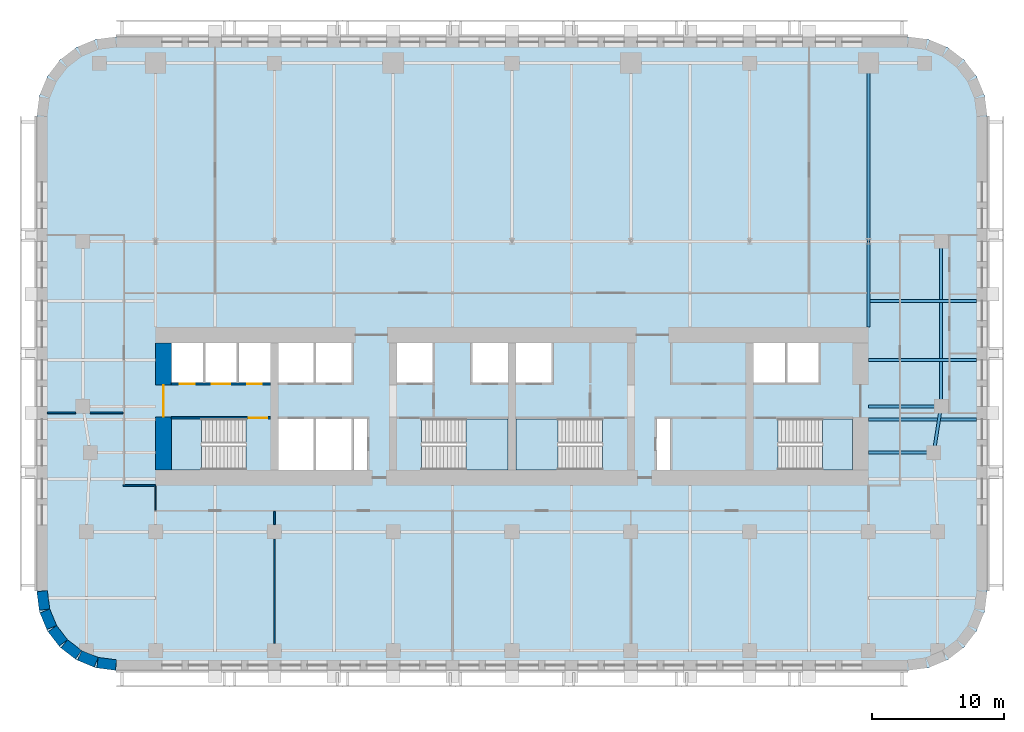
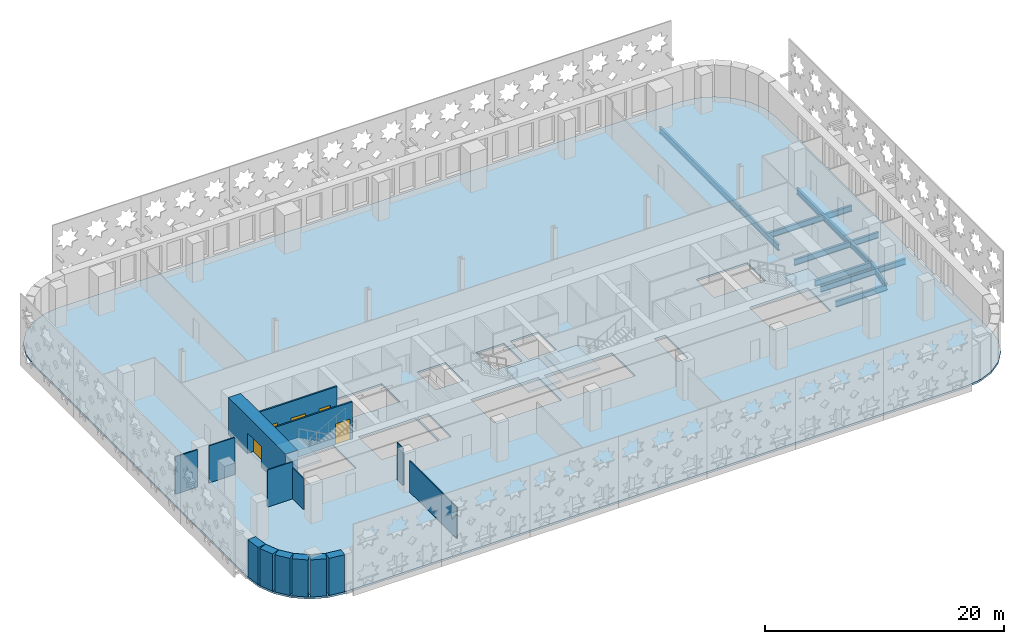
# One storey, part 2 of 13: 15 walls, 9 beams, 5 doors, 5 slabs, 5 openings, 4 elements without a shape of their own.
"""IFC4 building model written with IfcOpenShell, lengths in metres."""

from ifc_helpers import new_model, si_unit, direction, frame, frame_2d, origin, origin_2d, place, context, subcontext, project, spatial, polyline, rectangle, i_section, outline, extrude, material, layer, layer_set, material_profile, profile_set, type_object, element, fill, aggregate, save


model = new_model("IFC4")

# Units and contexts
model_context = context("Model", 3, precision=1e-05, world=origin(), true_north=direction((0.0, 1.0)))
body_context = subcontext(model_context, "Body", "Model", "MODEL_VIEW")
ifc_project = project(units=[si_unit("LENGTHUNIT", "METRE"), si_unit("AREAUNIT", "SQUARE_METRE"), si_unit("VOLUMEUNIT", "CUBIC_METRE"), si_unit("PLANEANGLEUNIT", "RADIAN"), si_unit("MASSUNIT", "GRAM", prefix="KILO")], contexts=[model_context])

# Site, building, storey
site_placement = place(None, origin())
site = spatial("IfcSite", under=ifc_project, at=site_placement, CompositionType="ELEMENT")
building_placement = place(site_placement, origin())
building = spatial("IfcBuilding", under=site, at=building_placement, Name="Zellij Exchange Tower", CompositionType="ELEMENT")
storey_placement = place(building_placement, frame((0.0, 0.0, 60.5)))
storey = spatial("IfcBuildingStorey", under=building, at=storey_placement, Name="L11", CompositionType="ELEMENT", Elevation=60.5)

# Beams
ifc_material_1 = material(Name="Structural steel ASTM A992 Gr 50", Category="steel")
ifc_material_profile_1 = material_profile(ifc_material_1, i_section(OverallWidth=0.227783203125, OverallDepth=0.60205078125, WebThickness=0.010498046875, FlangeThickness=0.014892578125, at=origin_2d()), Name="W24x68")
ifc_profile_set_1 = profile_set([ifc_material_profile_1], Name="Structural steel ASTM A992 Gr 50")
beam_type_1 = type_object("IfcBeamType", Name="STR-BEAM W24x68", PredefinedType="BEAM", material=ifc_profile_set_1)
for number, where, z_axis, x_axis, name in (
    (1, (27.0, -9.0, -0.5009765625), (1.0, 0.0, 0.0), (0.0, 1.0, 0.0), "B5"),
    (2, (27.0, -4.5, -0.5009765625), (1.0, 0.0, 0.0), (0.0, 1.0, 0.0), "B5"),
    (3, (27.0, 0.0, -0.5009765625), (1.0, 0.0, 0.0), (0.0, 1.0, 0.0), "B5"),
):
    element("IfcBeam", number, at=place(storey_placement, frame(where, z_axis=z_axis, x_axis=x_axis)), inside=storey, type_object=beam_type_1, Name=name, PredefinedType="BEAM", context=body_context, shape_type="SweptSolid", body=[
        extrude(i_section(OverallWidth=0.227783203125, OverallDepth=0.60205078125, WebThickness=0.010498046875, FlangeThickness=0.014892578125, at=origin_2d()), origin(), (0.0, 0.0, 1.0), 8.199951171875),
    ])
ifc_material_profile_2 = material_profile(ifc_material_1, i_section(OverallWidth=0.22900390625, OverallDepth=0.612060546875, WebThickness=0.011962890625, FlangeThickness=0.01953125, at=origin_2d()), Name="W24x84")
ifc_profile_set_2 = profile_set([ifc_material_profile_2], Name="Structural steel ASTM A992 Gr 50")
beam_type_2 = type_object("IfcBeamType", Name="STR-EDGE GIRDER W24x84", PredefinedType="BEAM", material=ifc_profile_set_2)
beam_1_placement = place(storey_placement, frame((31.949951171875, -11.5, -0.506103515625), z_axis=(0.155251283593, 0.987875011802, 0.0), x_axis=(-0.987875011802, 0.155251283593, 0.0)))
element("IfcBeam", 4, at=beam_1_placement, inside=storey, type_object=beam_type_2, Name="EB6", PredefinedType="BEAM", context=body_context, shape_type="SweptSolid", body=[
    extrude(i_section(OverallWidth=0.22900390625, OverallDepth=0.612060546875, WebThickness=0.011962890625, FlangeThickness=0.01953125, at=origin_2d()), origin(), (0.0, 0.0, 1.0), 3.54296875),
])
beam_2_placement = place(storey_placement, frame((32.5, -8.0, -0.506103515625), z_axis=(0.0, 1.0, 0.0), x_axis=(-1.0, 0.0, 0.0)))
element("IfcBeam", 5, at=beam_2_placement, inside=storey, type_object=beam_type_2, Name="EB6", PredefinedType="BEAM", context=body_context, shape_type="SweptSolid", body=[
    extrude(i_section(OverallWidth=0.22900390625, OverallDepth=0.612060546875, WebThickness=0.011962890625, FlangeThickness=0.01953125, at=origin_2d()), origin(), (0.0, 0.0, 1.0), 12.5),
])
ifc_material_profile_3 = material_profile(ifc_material_1, i_section(OverallWidth=0.22900390625, OverallDepth=0.612060546875, WebThickness=0.011962890625, FlangeThickness=0.01953125, at=origin_2d()), Name="W24x84")
ifc_profile_set_3 = profile_set([ifc_material_profile_3], Name="Structural steel ASTM A992 Gr 50")
beam_type_3 = type_object("IfcBeamType", Name="STR-GIRDER W24x84", PredefinedType="BEAM", material=ifc_profile_set_3)
beam_3_placement = place(storey_placement, frame((27.0, -11.5, -0.506103515625), z_axis=(1.0, 0.0, 0.0), x_axis=(0.0, 1.0, 0.0)))
element("IfcBeam", 6, at=beam_3_placement, inside=storey, type_object=beam_type_3, Name="G4", PredefinedType="BEAM", context=body_context, shape_type="SweptSolid", body=[
    extrude(i_section(OverallWidth=0.22900390625, OverallDepth=0.612060546875, WebThickness=0.011962890625, FlangeThickness=0.01953125, at=origin_2d()), origin(), (0.0, 0.0, 1.0), 4.949951171875),
])
beam_4_placement = place(storey_placement, frame((27.0, -8.0, -0.506103515625), z_axis=(1.0, 0.0, 0.0), x_axis=(0.0, 1.0, 0.0)))
element("IfcBeam", 7, at=beam_4_placement, inside=storey, type_object=beam_type_3, Name="G4", PredefinedType="BEAM", context=body_context, shape_type="SweptSolid", body=[
    extrude(i_section(OverallWidth=0.22900390625, OverallDepth=0.612060546875, WebThickness=0.011962890625, FlangeThickness=0.01953125, at=origin_2d()), origin(), (0.0, 0.0, 1.0), 5.5),
])
beam_5_placement = place(storey_placement, frame((27.0, -2.0, -0.506103515625), z_axis=(0.0, 1.0, 0.0), x_axis=(-1.0, 0.0, 0.0)))
element("IfcBeam", 8, at=beam_5_placement, inside=storey, type_object=beam_type_3, Name="G4", PredefinedType="BEAM", context=body_context, shape_type="SweptSolid", body=[
    extrude(i_section(OverallWidth=0.22900390625, OverallDepth=0.612060546875, WebThickness=0.011962890625, FlangeThickness=0.01953125, at=origin_2d()), origin(), (0.0, 0.0, 1.0), 6.5),
])
beam_6_placement = place(storey_placement, frame((27.0, 4.5, -0.506103515625), z_axis=(0.0, 1.0, 0.0), x_axis=(-1.0, 0.0, 0.0)))
element("IfcBeam", 9, at=beam_6_placement, inside=storey, type_object=beam_type_3, Name="G4", PredefinedType="BEAM", context=body_context, shape_type="SweptSolid", body=[
    extrude(i_section(OverallWidth=0.22900390625, OverallDepth=0.612060546875, WebThickness=0.011962890625, FlangeThickness=0.01953125, at=origin_2d()), origin(), (0.0, 0.0, 1.0), 13.5),
])

# Stair, slab
ifc_material_2 = material(Name="Concrete C40/50", Category="concrete")
stair_type = type_object("IfcStairType", Name="CORE-ST exit stair 1850 wide", PredefinedType="HALF_TURN_STAIR", material=ifc_material_2)
stair_1_placement = place(storey_placement, origin())
stair_1 = element("IfcStair", 10, at=stair_1_placement, inside=storey, type_object=stair_type, Name="L11 exit stair ST1", PredefinedType="HALF_TURN_STAIR")
ifc_layer_1 = layer(ifc_material_2, 0.199951171875)
ifc_layer_set_1 = layer_set([ifc_layer_1], Name="Concrete C40/50")
slab_type_1 = type_object("IfcSlabType", Name="CORE-SL stair landing 200", PredefinedType="LANDING", material=ifc_layer_set_1)
slab_1_placement = place(storey_placement, frame((0.0, 0.0, 1.800048828125)))
slab_1 = element("IfcSlab", 11, at=slab_1_placement, type_object=slab_type_1, Name="ST1 landing 1", PredefinedType="LANDING", context=body_context, shape_type="SweptSolid", body=[
    extrude(outline(polyline([(-23.510009765625, -8.949951171875), (-25.800048828125, -8.949951171875), (-25.800048828125, -12.800048828125), (-23.510009765625, -12.800048828125), (-23.510009765625, -8.949951171875)])), origin(), (0.0, 0.0, 1.0), 0.199951171875),
])
aggregate(stair_1, [slab_1])

stair_2_placement = place(storey_placement, origin())
stair_2 = element("IfcStair", 12, at=stair_2_placement, inside=storey, type_object=stair_type, Name="L11 exit stair ST2", PredefinedType="HALF_TURN_STAIR")
slab_2_placement = place(storey_placement, frame((0.0, 0.0, 1.800048828125)))
slab_2 = element("IfcSlab", 13, at=slab_2_placement, type_object=slab_type_1, Name="ST2 landing 1", PredefinedType="LANDING", context=body_context, shape_type="SweptSolid", body=[
    extrude(outline(polyline([(-3.489990234375, -12.800048828125), (-0.300048828125, -12.800048828125), (-0.300048828125, -8.949951171875), (-3.489990234375, -8.949951171875), (-3.489990234375, -12.800048828125)])), origin(), (0.0, 0.0, 1.0), 0.199951171875),
])
aggregate(stair_2, [slab_2])

stair_3_placement = place(storey_placement, origin())
stair_3 = element("IfcStair", 14, at=stair_3_placement, inside=storey, type_object=stair_type, Name="L11 exit stair ST3", PredefinedType="HALF_TURN_STAIR")
slab_3_placement = place(storey_placement, frame((0.0, 0.0, 1.800048828125)))
slab_3 = element("IfcSlab", 15, at=slab_3_placement, type_object=slab_type_1, Name="ST3 landing 1", PredefinedType="LANDING", context=body_context, shape_type="SweptSolid", body=[
    extrude(outline(polyline([(3.489990234375, -8.949951171875), (0.300048828125, -8.949951171875), (0.300048828125, -12.800048828125), (3.489990234375, -12.800048828125), (3.489990234375, -8.949951171875)])), origin(), (0.0, 0.0, 1.0), 0.199951171875),
])
aggregate(stair_3, [slab_3])

stair_4_placement = place(storey_placement, origin())
stair_4 = element("IfcStair", 16, at=stair_4_placement, inside=storey, type_object=stair_type, Name="L11 exit stair ST4", PredefinedType="HALF_TURN_STAIR")
slab_4_placement = place(storey_placement, frame((0.0, 0.0, 1.800048828125)))
slab_4 = element("IfcSlab", 17, at=slab_4_placement, type_object=slab_type_1, Name="ST4 landing 1", PredefinedType="LANDING", context=body_context, shape_type="SweptSolid", body=[
    extrude(outline(polyline([(23.510009765625, -12.800048828125), (25.800048828125, -12.800048828125), (25.800048828125, -8.949951171875), (23.510009765625, -8.949951171875), (23.510009765625, -12.800048828125)])), origin(), (0.0, 0.0, 1.0), 0.199951171875),
])
aggregate(stair_4, [slab_4])

# Slab
ifc_layer_2 = layer(ifc_material_2, 0.199951171875)
ifc_layer_set_2 = layer_set([ifc_layer_2], Name="Concrete C40/50")
slab_type_2 = type_object("IfcSlabType", Name="STR-FLOOR SLAB 200 C40/50", PredefinedType="FLOOR", material=ifc_layer_set_2)
slab_5_placement = place(storey_placement, frame((0.0, 0.0, -0.2001953125)))
element("IfcSlab", 18, at=slab_5_placement, inside=storey, type_object=slab_type_2, Name="Floor L11", PredefinedType="FLOOR", context=body_context, shape_type="SweptSolid", body=[
    extrude(outline(polyline([(-30.0, -28.0), (-31.552978515625, -27.795654296875), (-33.0, -27.1962890625), (-34.24267578125, -26.24267578125), (-35.1962890625, -25.0), (-35.795654296875, -23.552978515625), (-36.0, -22.0), (-36.0, 14.0), (-35.795654296875, 15.552978515625), (-35.1962890625, 17.0), (-34.24267578125, 18.24267578125), (-33.0, 19.1962890625), (-31.552978515625, 19.795654296875), (-30.0, 20.0), (30.0, 20.0), (31.552978515625, 19.795654296875), (33.0, 19.1962890625), (34.24267578125, 18.24267578125), (35.1962890625, 17.0), (35.795654296875, 15.552978515625), (36.0, 14.0), (36.0, -22.0), (35.795654296875, -23.552978515625), (35.1962890625, -25.0), (34.24267578125, -26.24267578125), (33.0, -27.1962890625), (31.552978515625, -27.795654296875), (30.0, -28.0), (-30.0, -28.0)]), holes=[polyline([(-25.800048828125, -8.949951171875), (-25.800048828125, -12.800048828125), (-20.153076171875, -12.800048828125), (-20.153076171875, -8.949951171875), (-25.800048828125, -8.949951171875)]), polyline([(-12.14990234375, -8.949951171875), (-17.699951171875, -8.949951171875), (-17.699951171875, -12.800048828125), (-12.14990234375, -12.800048828125), (-12.14990234375, -8.949951171875)]), polyline([(-10.949951171875, -8.949951171875), (-12.0, -8.949951171875), (-12.0, -12.800048828125), (-10.949951171875, -12.800048828125), (-10.949951171875, -8.949951171875)]), polyline([(-23.39990234375, -3.199951171875), (-25.800048828125, -3.199951171875), (-25.800048828125, -6.22509765625), (-23.39990234375, -6.22509765625), (-23.39990234375, -3.199951171875)]), polyline([(-18.300048828125, -3.199951171875), (-23.25, -3.199951171875), (-23.25, -6.22509765625), (-18.300048828125, -6.22509765625), (-18.300048828125, -3.199951171875)]), polyline([(-12.14990234375, -3.199951171875), (-17.699951171875, -3.199951171875), (-17.699951171875, -6.22509765625), (-12.14990234375, -6.22509765625), (-12.14990234375, -3.199951171875)]), polyline([(-6.0, -3.199951171875), (-8.699951171875, -3.199951171875), (-8.699951171875, -6.22509765625), (-6.0, -6.22509765625), (-6.0, -3.199951171875)]), polyline([(-6.846923828125, -8.949951171875), (-6.846923828125, -12.800048828125), (-0.300048828125, -12.800048828125), (-0.300048828125, -8.949951171875), (-6.846923828125, -8.949951171875)]), polyline([(6.846923828125, -8.949951171875), (0.300048828125, -8.949951171875), (0.300048828125, -12.800048828125), (6.846923828125, -12.800048828125), (6.846923828125, -8.949951171875)]), polyline([(12.0, -8.949951171875), (10.949951171875, -8.949951171875), (10.949951171875, -12.800048828125), (12.0, -12.800048828125), (12.0, -8.949951171875)]), polyline([(25.800048828125, -8.949951171875), (20.153076171875, -8.949951171875), (20.153076171875, -12.800048828125), (25.800048828125, -12.800048828125), (25.800048828125, -8.949951171875)]), polyline([(-0.300048828125, -3.199951171875), (-3.0, -3.199951171875), (-3.0, -6.22509765625), (-0.300048828125, -6.22509765625), (-0.300048828125, -3.199951171875)]), polyline([(3.0, -3.199951171875), (0.300048828125, -3.199951171875), (0.300048828125, -6.22509765625), (3.0, -6.22509765625), (3.0, -3.199951171875)]), polyline([(23.25, -3.199951171875), (18.300048828125, -3.199951171875), (18.300048828125, -6.22509765625), (23.25, -6.22509765625), (23.25, -3.199951171875)])]), origin(), (0.0, 0.0, 1.0), 0.2001953125),
])

# Wall, openings, doors
ifc_material_3 = material(Name="Gypsum shaft wall system")
ifc_layer_3 = layer(ifc_material_3, 0.14990234375)
ifc_layer_set_3 = layer_set([ifc_layer_3], Name="Gypsum shaft wall system")
wall_type_1 = type_object("IfcWallType", Name="CORE-PW 150 Lift shaft wall", PredefinedType="PARTITIONING", material=ifc_layer_set_3)
wall_1_placement = place(storey_placement, frame((-25.800048828125, -6.300048828125, 0.0), z_axis=(0.0, 0.0, 1.0), x_axis=(1.0, 0.0, 0.0)))
wall_1 = element("IfcWall", 19, at=wall_1_placement, inside=storey, type_object=wall_type_1, Name="Lift shaft wall L11", PredefinedType="PARTITIONING", context=body_context, shape_type="SweptSolid", body=[
    extrude(rectangle(XDim=7.5, YDim=0.14990234375, at=frame_2d((3.75, 0.0))), origin(), (0.0, 0.0, 1.0), 3.800048828125),
])
opening_1_placement = place(wall_1_placement, frame((0.64990234375, 0.0, 0.0)))
opening_1 = element("IfcOpeningElement", 20, at=opening_1_placement, cuts=wall_1, Name="Opening CA-07.02", PredefinedType="OPENING", context=body_context, shape_type="SweptSolid", body=[
    extrude(rectangle(XDim=1.10009765625, YDim=2.10009765625, at=frame_2d((0.550048828125, 1.050048828125))), frame((0.0, 0.0869140625, 0.0), z_axis=(0.0, -1.0, 0.0), x_axis=(1.0, 0.0, 0.0)), (0.0, 0.0, 1.0), 0.173828125),
])
opening_2_placement = place(wall_1_placement, frame((3.050048828125, 0.0, 0.0)))
opening_2 = element("IfcOpeningElement", 21, at=opening_2_placement, cuts=wall_1, Name="Opening CA-07.03", PredefinedType="OPENING", context=body_context, shape_type="SweptSolid", body=[
    extrude(rectangle(XDim=1.39990234375, YDim=2.10009765625, at=frame_2d((0.699951171875, 1.050048828125))), frame((0.0, 0.0869140625, 0.0), z_axis=(0.0, -1.0, 0.0), x_axis=(1.0, 0.0, 0.0)), (0.0, 0.0, 1.0), 0.173828125),
])
opening_3_placement = place(wall_1_placement, frame((5.75, 0.0, 0.0)))
opening_3 = element("IfcOpeningElement", 22, at=opening_3_placement, cuts=wall_1, Name="Opening CA-07.04", PredefinedType="OPENING", context=body_context, shape_type="SweptSolid", body=[
    extrude(rectangle(XDim=1.10009765625, YDim=2.10009765625, at=frame_2d((0.550048828125, 1.050048828125))), frame((0.0, 0.0869140625, 0.0), z_axis=(0.0, -1.0, 0.0), x_axis=(1.0, 0.0, 0.0)), (0.0, 0.0, 1.0), 0.173828125),
])
ifc_material_4 = material(Name="Hollow metal fire door")
door_type_1 = type_object("IfcDoorType", Name="CORE-D LD Lift landing door 1100x2100 1.5 HR", OperationType="NOTDEFINED", PredefinedType="DOOR", material=ifc_material_4)
door_1_placement = place(opening_1_placement, origin())
door_1 = element("IfcDoor", 23, at=door_1_placement, inside=storey, type_object=door_type_1, Name="Lift landing door CA-07.02", OperationType="SLIDING_TO_RIGHT", OverallHeight=2.10009765625, OverallWidth=1.10009765625, PredefinedType="DOOR", context=body_context, shape_type="SweptSolid", body=[
    extrude(rectangle(XDim=1.10009765625, YDim=2.10009765625, at=frame_2d((0.550048828125, 1.050048828125))), frame((0.0, 0.02490234375, 0.0), z_axis=(0.0, -1.0, 0.0), x_axis=(1.0, 0.0, 0.0)), (0.0, 0.0, 1.0), 0.050048828125),
])
fill(opening_1, door_1)
door_2_placement = place(opening_3_placement, origin())
door_2 = element("IfcDoor", 24, at=door_2_placement, inside=storey, type_object=door_type_1, Name="Lift landing door CA-07.04", OperationType="SLIDING_TO_RIGHT", OverallHeight=2.10009765625, OverallWidth=1.10009765625, PredefinedType="DOOR", context=body_context, shape_type="SweptSolid", body=[
    extrude(rectangle(XDim=1.10009765625, YDim=2.10009765625, at=frame_2d((0.550048828125, 1.050048828125))), frame((0.0, 0.02490234375, 0.0), z_axis=(0.0, -1.0, 0.0), x_axis=(1.0, 0.0, 0.0)), (0.0, 0.0, 1.0), 0.050048828125),
])
fill(opening_3, door_2)
door_type_2 = type_object("IfcDoorType", Name="CORE-D LD2 Service lift landing door 1400x2100 1.5 HR", OperationType="NOTDEFINED", PredefinedType="DOOR", material=ifc_material_4)
door_3_placement = place(opening_2_placement, origin())
door_3 = element("IfcDoor", 25, at=door_3_placement, inside=storey, type_object=door_type_2, Name="Service lift landing door CA-07.03", OperationType="SLIDING_TO_LEFT", OverallHeight=2.10009765625, OverallWidth=1.39990234375, PredefinedType="DOOR", context=body_context, shape_type="SweptSolid", body=[
    extrude(rectangle(XDim=1.39990234375, YDim=2.10009765625, at=frame_2d((0.699951171875, 1.050048828125))), frame((0.0, 0.02490234375, 0.0), z_axis=(0.0, -1.0, 0.0), x_axis=(1.0, 0.0, 0.0)), (0.0, 0.0, 1.0), 0.050048828125),
])
fill(opening_2, door_3)

# Wall, opening, door
ifc_material_5 = material(Name="Concrete C70/85", Category="concrete")
ifc_layer_4 = layer(ifc_material_5, 1.199951171875)
ifc_layer_set_4 = layer_set([ifc_layer_4], Name="Concrete C70/85")
wall_type_2 = type_object("IfcWallType", Name="CORE-SW 1200 C70/85", PredefinedType="SHEAR", material=ifc_layer_set_4)
wall_2_placement = place(storey_placement, frame((-26.39990234375, -12.800048828125, 0.0), z_axis=(0.0, 0.0, 1.0), x_axis=(0.0, 1.0, 0.0)))
wall_2 = element("IfcWall", 26, at=wall_2_placement, inside=storey, type_object=wall_type_2, Name="Core shear wall end w L11", PredefinedType="SHEAR", context=body_context, shape_type="SweptSolid", body=[
    extrude(rectangle(XDim=9.60009765625, YDim=1.199951171875, at=frame_2d((4.800048828125, 0.0))), origin(), (0.0, 0.0, 1.0), 3.800048828125),
])
opening_4_placement = place(wall_2_placement, frame((4.011962890625, 0.0, 0.0)))
opening_4 = element("IfcOpeningElement", 27, at=opening_4_placement, cuts=wall_2, Name="Opening CA-07.01", PredefinedType="OPENING", context=body_context, shape_type="SweptSolid", body=[
    extrude(rectangle(XDim=2.39990234375, YDim=2.10009765625, at=frame_2d((1.199951171875, 1.050048828125))), frame((0.0, 0.61181640625, 0.0), z_axis=(0.0, -1.0, 0.0), x_axis=(1.0, 0.0, 0.0)), (0.0, 0.0, 1.0), 1.223876953125),
])
door_type_3 = type_object("IfcDoorType", Name="CORE-D CE Core entrance door 2400x2100 20 MIN", OperationType="NOTDEFINED", PredefinedType="DOOR", material=ifc_material_4)
door_4_placement = place(opening_4_placement, origin())
door_4 = element("IfcDoor", 28, at=door_4_placement, inside=storey, type_object=door_type_3, Name="Core entrance door CA-07.01", OperationType="DOUBLE_DOOR_SINGLE_SWING", OverallHeight=2.10009765625, OverallWidth=2.39990234375, PredefinedType="DOOR", context=body_context, shape_type="SweptSolid", body=[
    extrude(rectangle(XDim=2.39990234375, YDim=2.10009765625, at=frame_2d((1.199951171875, 1.050048828125))), frame((0.0, 0.02490234375, 0.0), z_axis=(0.0, -1.0, 0.0), x_axis=(1.0, 0.0, 0.0)), (0.0, 0.0, 1.0), 0.050048828125),
])
fill(opening_4, door_4)

ifc_layer_5 = layer(ifc_material_5, 0.14990234375)
ifc_layer_set_5 = layer_set([ifc_layer_5], Name="Concrete C70/85")
wall_type_3 = type_object("IfcWallType", Name="CORE-SWS 150 C70/85", PredefinedType="SHEAR", material=ifc_layer_set_5)
wall_3_placement = place(storey_placement, frame((-25.800048828125, -8.875, 0.0), z_axis=(0.0, 0.0, 1.0), x_axis=(1.0, 0.0, 0.0)))
wall_3 = element("IfcWall", 29, at=wall_3_placement, inside=storey, type_object=wall_type_3, Name="Stair enclosure wall L11", PredefinedType="SHEAR", context=body_context, shape_type="SweptSolid", body=[
    extrude(rectangle(XDim=7.5, YDim=0.14990234375, at=frame_2d((3.75, 0.0))), origin(), (0.0, 0.0, 1.0), 3.800048828125),
])
opening_5_placement = place(wall_3_placement, frame((5.875, 0.0, 0.0)))
opening_5 = element("IfcOpeningElement", 30, at=opening_5_placement, cuts=wall_3, Name="Opening CA-07.05", PredefinedType="OPENING", context=body_context, shape_type="SweptSolid", body=[
    extrude(rectangle(XDim=1.39990234375, YDim=2.10009765625, at=frame_2d((0.699951171875, 1.050048828125))), frame((0.0, 0.0869140625, 0.0), z_axis=(0.0, -1.0, 0.0), x_axis=(1.0, 0.0, 0.0)), (0.0, 0.0, 1.0), 0.173828125),
])
door_type_4 = type_object("IfcDoorType", Name="CORE-D SD Stair door 1400x2100 1.5 HR", OperationType="NOTDEFINED", PredefinedType="DOOR", material=ifc_material_4)
door_5_placement = place(opening_5_placement, origin())
door_5 = element("IfcDoor", 31, at=door_5_placement, inside=storey, type_object=door_type_4, Name="Stair door CA-07.05", OperationType="DOUBLE_DOOR_SINGLE_SWING", OverallHeight=2.10009765625, OverallWidth=1.39990234375, PredefinedType="DOOR", context=body_context, shape_type="SweptSolid", body=[
    extrude(rectangle(XDim=1.39990234375, YDim=2.10009765625, at=frame_2d((0.699951171875, 1.050048828125))), frame((0.0, 0.02490234375, 0.0), z_axis=(0.0, -1.0, 0.0), x_axis=(1.0, 0.0, 0.0)), (0.0, 0.0, 1.0), 0.050048828125),
])
fill(opening_5, door_5)

# Walls
ifc_material_6 = material(Name="Precast concrete C40/50", Category="concrete")
ifc_layer_6 = layer(ifc_material_6, 0.800048828125)
ifc_layer_set_6 = layer_set([ifc_layer_6], Name="Precast concrete C40/50")
wall_type_4 = type_object("IfcWallType", Name="ENV-EW1 Precast stone-piered wall 800", PredefinedType="SOLIDWALL", material=ifc_layer_set_6)
wall_4_placement = place(storey_placement, frame((-35.5966796875, -21.999755859375, 0.0), z_axis=(0.0, 0.0, 1.0), x_axis=(0.130517283865, -0.99144603414, 0.0)))
element("IfcWall", 32, at=wall_4_placement, inside=storey, type_object=wall_type_4, Name="fac.L11.22", PredefinedType="SOLIDWALL", context=body_context, shape_type="SweptSolid", body=[
    extrude(rectangle(XDim=1.408447265625, YDim=0.800048828125, at=frame_2d((0.7041015625, 0.0))), origin(), (0.0, 0.0, 1.0), 3.800048828125),
])
wall_5_placement = place(storey_placement, frame((-35.3857421875, -23.497314453125, 0.0), z_axis=(0.0, 0.0, 1.0), x_axis=(0.38276009378, -0.923847774587, 0.0)))
element("IfcWall", 33, at=wall_5_placement, inside=storey, type_object=wall_type_4, Name="fac.L11.23", PredefinedType="SOLIDWALL", context=body_context, shape_type="SweptSolid", body=[
    extrude(rectangle(XDim=1.35546875, YDim=0.800048828125, at=frame_2d((0.677734375, 0.0))), origin(), (0.0, 0.0, 1.0), 3.800048828125),
])
for number, where, z_axis, x_axis, name in (
    (34, (-34.814697265625, -24.840087890625, 0.0), (0.0, 0.0, 1.0), (0.608866226366, -0.793272915452, 0.0), "fac.L11.24"),
    (35, (-33.91552734375, -25.9892578125, 0.0), (0.0, 0.0, 1.0), (0.793272915452, -0.608866226366, 0.0), "fac.L11.25"),
):
    element("IfcWall", number, at=place(storey_placement, frame(where, z_axis=z_axis, x_axis=x_axis)), inside=storey, type_object=wall_type_4, Name=name, PredefinedType="SOLIDWALL", context=body_context, shape_type="SweptSolid", body=[
        extrude(rectangle(XDim=1.355712890625, YDim=0.800048828125, at=frame_2d((0.677734375, 0.0))), origin(), (0.0, 0.0, 1.0), 3.800048828125),
    ])
wall_6_placement = place(storey_placement, frame((-32.74951171875, -26.866943359375, 0.0), z_axis=(0.0, 0.0, 1.0), x_axis=(0.923847774587, -0.38276009378, 0.0)))
element("IfcWall", 36, at=wall_6_placement, inside=storey, type_object=wall_type_4, Name="fac.L11.26", PredefinedType="SOLIDWALL", context=body_context, shape_type="SweptSolid", body=[
    extrude(rectangle(XDim=1.35546875, YDim=0.800048828125, at=frame_2d((0.677734375, 0.0))), origin(), (0.0, 0.0, 1.0), 3.800048828125),
])
wall_7_placement = place(storey_placement, frame((-31.396240234375, -27.412841796875, 0.0), z_axis=(0.0, 0.0, 1.0), x_axis=(0.99144603414, -0.130517283865, 0.0)))
element("IfcWall", 37, at=wall_7_placement, inside=storey, type_object=wall_type_4, Name="fac.L11.27", PredefinedType="SOLIDWALL", context=body_context, shape_type="SweptSolid", body=[
    extrude(rectangle(XDim=1.408447265625, YDim=0.800048828125, at=frame_2d((0.7041015625, 0.0))), origin(), (0.0, 0.0, 1.0), 3.800048828125),
])
ifc_material_7 = material(Name="Gypsum board partition on steel studs", Category="steel")
ifc_layer_7 = layer(ifc_material_7, 0.10009765625)
ifc_layer_set_7 = layer_set([ifc_layer_7], Name="Gypsum board partition on steel studs")
wall_type_5 = type_object("IfcWallType", Name="FIT-PARTITION-100", PredefinedType="PARTITIONING", material=ifc_layer_set_7)
wall_8_placement = place(storey_placement, frame((-18.0, -25.949951171875, 0.0), z_axis=(0.0, 0.0, 1.0), x_axis=(0.0, 1.0, 0.0)))
element("IfcWall", 38, at=wall_8_placement, inside=storey, type_object=wall_type_5, Name="FIT-PARTITION-100 001", PredefinedType="PARTITIONING", context=body_context, shape_type="SweptSolid", body=[
    extrude(rectangle(XDim=7.89990234375, YDim=0.10009765625, at=frame_2d((3.949951171875, 0.0))), origin(), (0.0, 0.0, 1.0), 3.18798828125),
])
wall_9_placement = place(storey_placement, frame((-18.0, -16.949951171875, 0.0), z_axis=(0.0, 0.0, 1.0), x_axis=(0.0, 1.0, 0.0)))
element("IfcWall", 39, at=wall_9_placement, inside=storey, type_object=wall_type_5, Name="FIT-PARTITION-100 002", PredefinedType="PARTITIONING", context=body_context, shape_type="SweptSolid", body=[
    extrude(rectangle(XDim=1.0, YDim=0.10009765625, at=frame_2d((0.5, 0.0))), origin(), (0.0, 0.0, 1.0), 3.800048828125),
])
wall_10_placement = place(storey_placement, frame((-27.0, -15.85009765625, 0.0), z_axis=(0.0, 0.0, 1.0), x_axis=(0.0, 1.0, 0.0)))
element("IfcWall", 40, at=wall_10_placement, inside=storey, type_object=wall_type_5, Name="FIT-PARTITION-100 008", PredefinedType="PARTITIONING", context=body_context, shape_type="SweptSolid", body=[
    extrude(rectangle(XDim=1.800048828125, YDim=0.10009765625, at=frame_2d((0.89990234375, 0.0))), origin(), (0.0, 0.0, 1.0), 3.18798828125),
])
wall_11_placement = place(storey_placement, frame((-29.449951171875, -14.0, 0.0), z_axis=(0.0, 0.0, 1.0), x_axis=(1.0, 0.0, 0.0)))
element("IfcWall", 41, at=wall_11_placement, inside=storey, type_object=wall_type_5, Name="FIT-PARTITION-100 010", PredefinedType="PARTITIONING", context=body_context, shape_type="SweptSolid", body=[
    extrude(rectangle(XDim=2.449951171875, YDim=0.10009765625, at=frame_2d((1.22509765625, 0.0))), origin(), (0.0, 0.0, 1.0), 3.800048828125),
])
wall_12_placement = place(storey_placement, frame((-35.199951171875, -8.489990234375, 0.0), z_axis=(0.0, 0.0, 1.0), x_axis=(1.0, 0.0, 0.0)))
element("IfcWall", 42, at=wall_12_placement, inside=storey, type_object=wall_type_5, Name="FIT-PARTITION-100 014", PredefinedType="PARTITIONING", context=body_context, shape_type="SweptSolid", body=[
    extrude(rectangle(XDim=2.14990234375, YDim=0.10009765625, at=frame_2d((1.074951171875, 0.0))), origin(), (0.0, 0.0, 1.0), 3.800048828125),
])
wall_13_placement = place(storey_placement, frame((-31.949951171875, -8.489990234375, 0.0), z_axis=(0.0, 0.0, 1.0), x_axis=(1.0, 0.0, 0.0)))
element("IfcWall", 43, at=wall_13_placement, inside=storey, type_object=wall_type_5, Name="FIT-PARTITION-100 015", PredefinedType="PARTITIONING", context=body_context, shape_type="SweptSolid", body=[
    extrude(rectangle(XDim=2.5, YDim=0.10009765625, at=frame_2d((1.25, 0.0))), origin(), (0.0, 0.0, 1.0), 3.800048828125),
])

save(model, "model.ifc")
